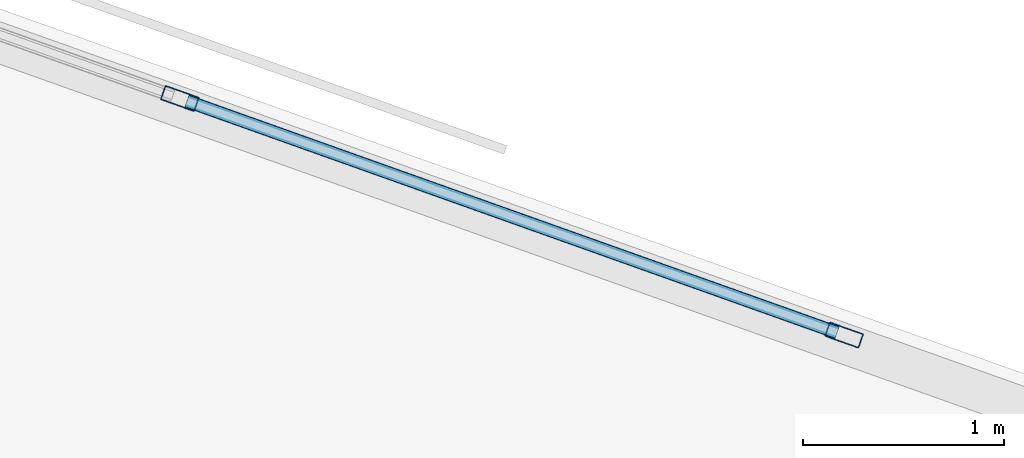
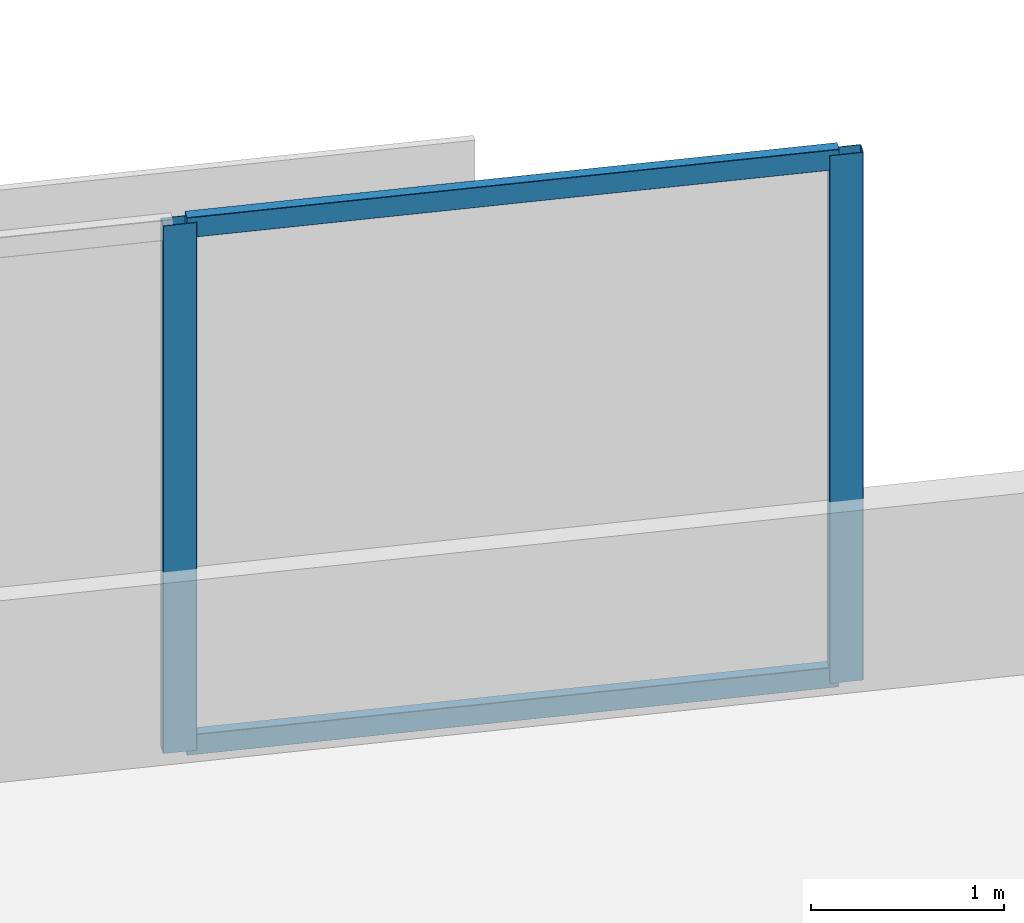
# One storey, part 2 of 16: 4 members, 1 element without a shape of its own.
"""IFC4 building model written with IfcOpenShell, lengths in metres."""

from ifc_helpers import new_model, si_unit, direction, frame, origin, origin_2d, place, context, subcontext, project, spatial, hollow_rectangle, extrude, material, material_profile, profile_set, type_object, element, aggregate, save


model = new_model("IFC4")

# Units and contexts
model_context = context("Model", 3, precision=1e-05, world=origin(), true_north=direction((0.0, 1.0)))
body_context = subcontext(model_context, "Body", "Model", "MODEL_VIEW")
ifc_project = project(units=[si_unit("LENGTHUNIT", "METRE"), si_unit("AREAUNIT", "SQUARE_METRE"), si_unit("VOLUMEUNIT", "CUBIC_METRE"), si_unit("PLANEANGLEUNIT", "RADIAN"), si_unit("MASSUNIT", "GRAM", prefix="KILO")], contexts=[model_context])

# Site, building, storey
site_placement = place(None, origin())
site = spatial("IfcSite", under=ifc_project, at=site_placement, CompositionType="ELEMENT")
building_placement = place(site_placement, origin())
building = spatial("IfcBuilding", under=site, at=building_placement, Name="Narakoshi Arena Tower", CompositionType="ELEMENT")
storey_placement = place(building_placement, frame((0.0, 0.0, 150.300048828125)))
storey = spatial("IfcBuildingStorey", under=building, at=storey_placement, Name="L40", CompositionType="ELEMENT", Elevation=150.300048828125)

# Curtain wall, members
ifc_material = material(Name="Anodised bronze aluminium 6063-T6", Category="aluminium")
curtain_wall_type = type_object("IfcCurtainWallType", Name="CW-HYP-MID", PredefinedType="NOTDEFINED", material=ifc_material)
curtain_wall_placement = place(storey_placement, origin())
curtain_wall = element("IfcCurtainWall", 1, at=curtain_wall_placement, inside=storey, type_object=curtain_wall_type, Name="L40 Folded Hypotenuse Curtain Wall 2-1", PredefinedType="NOTDEFINED")
ifc_material_profile_1 = material_profile(ifc_material, hollow_rectangle(XDim=0.074951171875, YDim=0.179931640625, WallThickness=0.00390625, OuterFilletRadius=0.0048828125, at=origin_2d()), Name="MUL180x75x4")
ifc_profile_set_1 = profile_set([ifc_material_profile_1], Name="Anodised bronze aluminium 6063-T6")
member_type_1 = type_object("IfcMemberType", Name="MEM-MUL-180", PredefinedType="MULLION", material=ifc_profile_set_1)
member_1_placement = place(storey_placement, frame((87.77978515625, 62.73876953125, 0.0), z_axis=(0.0, 0.0, 1.0), x_axis=(-0.335518297139, -0.94203368957, 0.0)))
member_1 = element("IfcMember", 2, at=member_1_placement, type_object=member_type_1, Name="CW-02 mullion 1", PredefinedType="MULLION", context=body_context, shape_type="SweptSolid", body=[
    extrude(hollow_rectangle(XDim=0.074951171875, YDim=0.179931640625, WallThickness=0.00390625, OuterFilletRadius=0.0048828125, at=origin_2d()), origin(), (0.0, 0.0, 1.0), 3.33984375),
])
member_2_placement = place(storey_placement, frame((84.470458984375, 63.917236328125, 0.0), z_axis=(0.0, 0.0, 1.0), x_axis=(-0.335518297139, -0.94203368957, 0.0)))
member_2 = element("IfcMember", 3, at=member_2_placement, type_object=member_type_1, Name="CW-02 mullion 2", PredefinedType="MULLION", context=body_context, shape_type="SweptSolid", body=[
    extrude(hollow_rectangle(XDim=0.074951171875, YDim=0.179931640625, WallThickness=0.00390625, OuterFilletRadius=0.0048828125, at=origin_2d()), origin(), (0.0, 0.0, 1.0), 3.33984375),
])
ifc_material_profile_2 = material_profile(ifc_material, hollow_rectangle(XDim=0.06494140625, YDim=0.1298828125, WallThickness=0.00390625, OuterFilletRadius=0.0048828125, at=origin_2d()), Name="TRN130x65x4")
ifc_profile_set_2 = profile_set([ifc_material_profile_2], Name="Anodised bronze aluminium 6063-T6")
member_type_2 = type_object("IfcMemberType", Name="MEM-TRN-130", PredefinedType="USERDEFINED", material=ifc_profile_set_2)
member_3_placement = place(storey_placement, frame((87.744384765625, 62.751220703125, 0.032470703125), z_axis=(-0.942022753127, 0.335549001773, 0.0), x_axis=(-0.335549001773, -0.942022753127, 0.0)))
member_3 = element("IfcMember", 4, at=member_3_placement, type_object=member_type_2, Name="CW-02 transom 1.1", ObjectType="TRANSOM", PredefinedType="USERDEFINED", context=body_context, shape_type="SweptSolid", body=[
    extrude(hollow_rectangle(XDim=0.06494140625, YDim=0.1298828125, WallThickness=0.00390625, OuterFilletRadius=0.0048828125, at=origin_2d()), origin(), (0.0, 0.0, 1.0), 3.437744140625),
])
member_4_placement = place(storey_placement, frame((87.744384765625, 62.751220703125, 3.307373046875), z_axis=(-0.942022753127, 0.335549001773, 0.0), x_axis=(-0.335549001773, -0.942022753127, 0.0)))
member_4 = element("IfcMember", 5, at=member_4_placement, type_object=member_type_2, Name="CW-02 transom 1.2", ObjectType="TRANSOM", PredefinedType="USERDEFINED", context=body_context, shape_type="SweptSolid", body=[
    extrude(hollow_rectangle(XDim=0.06494140625, YDim=0.1298828125, WallThickness=0.00390625, OuterFilletRadius=0.0048828125, at=origin_2d()), origin(), (0.0, 0.0, 1.0), 3.437744140625),
])
aggregate(curtain_wall, [member_1, member_2, member_3, member_4])

save(model, "model.ifc")
